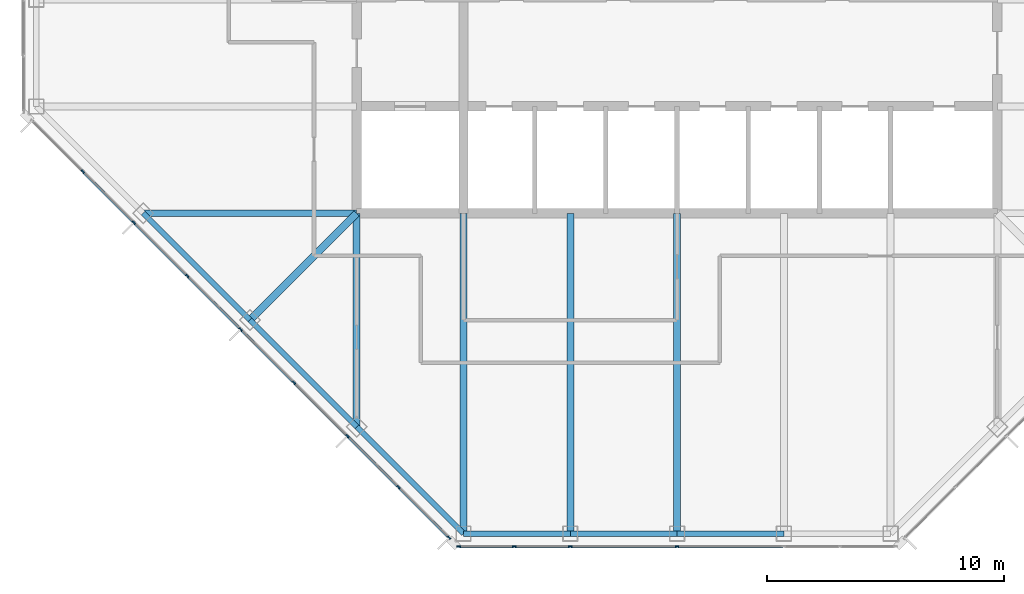
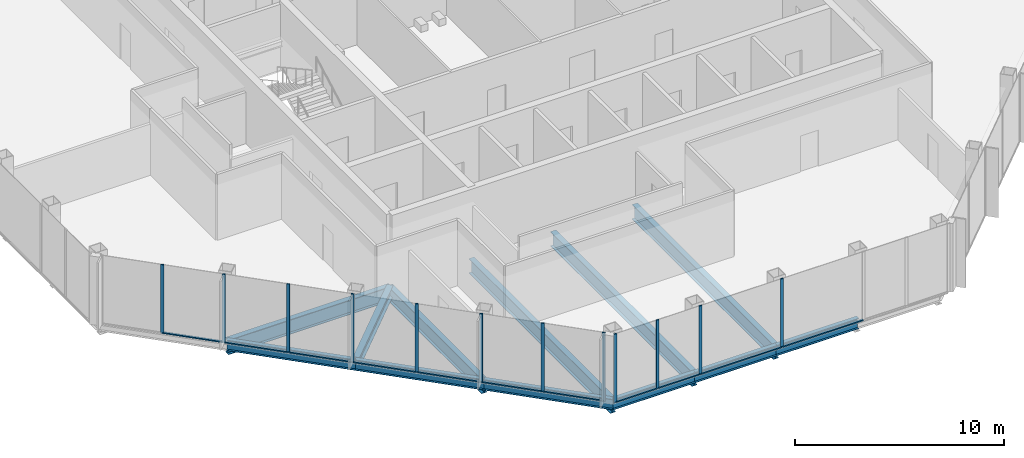
# One storey, part 2 of 13: 23 members, 12 beams, 2 elements without a shape of their own.
"""IFC4 building model written with IfcOpenShell, lengths in metres."""

from ifc_helpers import new_model, si_unit, direction, frame, origin, origin_2d, place, context, subcontext, project, spatial, rectangle, i_section, extrude, material, material_profile, profile_set, type_object, element, aggregate, save


model = new_model("IFC4")

# Units and contexts
model_context = context("Model", 3, precision=1e-05, world=origin(), true_north=direction((0.0, 1.0)))
body_context = subcontext(model_context, "Body", "Model", "MODEL_VIEW")
ifc_project = project(units=[si_unit("LENGTHUNIT", "METRE"), si_unit("AREAUNIT", "SQUARE_METRE"), si_unit("VOLUMEUNIT", "CUBIC_METRE"), si_unit("PLANEANGLEUNIT", "RADIAN"), si_unit("MASSUNIT", "GRAM", prefix="KILO")], contexts=[model_context])

# Site, building, storey
site_placement = place(None, origin())
site = spatial("IfcSite", under=ifc_project, at=site_placement, CompositionType="ELEMENT")
building_placement = place(site_placement, origin())
building = spatial("IfcBuilding", under=site, at=building_placement, Name="Corais Broadcast Tower", CompositionType="ELEMENT")
storey_placement = place(building_placement, frame((0.0, 0.0, 238.60009765625)))
storey = spatial("IfcBuildingStorey", under=building, at=storey_placement, Name="L55", CompositionType="ELEMENT", Elevation=238.60009765625)

# Beams
ifc_material_1 = material(Name="Steel ASTM A572 Grade 50", Category="steel")
ifc_material_profile_1 = material_profile(ifc_material_1, i_section(OverallWidth=0.323974609375, OverallDepth=0.611083984375, WebThickness=0.0126953125, FlangeThickness=0.01904296875, at=origin_2d()), Name="W610x155")
ifc_profile_set_1 = profile_set([ifc_material_profile_1], Name="Steel ASTM A572 Grade 50")
beam_type_1 = type_object("IfcBeamType", Name="Corner diagonal W610x155", PredefinedType="BEAM", material=ifc_profile_set_1)
beam_1_placement = place(storey_placement, frame((9.0, 9.0, -0.465576171875), z_axis=(0.707106781187, 0.707106781187, 0.0), x_axis=(-0.707106781187, 0.707106781187, 0.0)))
element("IfcBeam", 1, at=beam_1_placement, inside=storey, type_object=beam_type_1, Name="B6 C/5 to D/6", PredefinedType="BEAM", context=body_context, shape_type="SweptSolid", body=[
    extrude(i_section(OverallWidth=0.323974609375, OverallDepth=0.611083984375, WebThickness=0.0126953125, FlangeThickness=0.01904296875, at=origin_2d()), origin(), (0.0, 0.0, 1.0), 6.364013671875),
])
ifc_material_2 = material(Name="Steel ASTM A572 Grade 50", Category="steel")
ifc_material_profile_2 = material_profile(ifc_material_2, i_section(OverallWidth=0.2939453125, OverallDepth=0.85107421875, WebThickness=0.01611328125, FlangeThickness=0.02685546875, at=origin_2d()), Name="W840x226")
ifc_profile_set_2 = profile_set([ifc_material_profile_2], Name="Steel ASTM A572 Grade 50")
beam_type_2 = type_object("IfcBeamType", Name="Floor beam W840x226", PredefinedType="BEAM", material=ifc_profile_set_2)
beam_2_placement = place(storey_placement, frame((13.5, 4.5, -0.585693359375), z_axis=(0.0, 1.0, 0.0), x_axis=(-1.0, 0.0, 0.0)))
element("IfcBeam", 2, at=beam_2_placement, inside=storey, type_object=beam_type_2, Name="B1 B/6 to D/6", PredefinedType="BEAM", context=body_context, shape_type="SweptSolid", body=[
    extrude(i_section(OverallWidth=0.2939453125, OverallDepth=0.85107421875, WebThickness=0.01611328125, FlangeThickness=0.02685546875, at=origin_2d()), origin(), (0.0, 0.0, 1.0), 9.0),
])
for number, where, z_axis, x_axis, name in (
    (3, (18.0, 0.0, -0.585693359375), (0.0, 1.0, 0.0), (-1.0, 0.0, 0.0), "B1 A/7 to D/7"),
    (4, (22.5, 0.0, -0.585693359375), (0.0, 1.0, 0.0), (-1.0, 0.0, 0.0), "B1 A/8 to D/8"),
    (5, (27.0, 0.0, -0.585693359375), (0.0, 1.0, 0.0), (-1.0, 0.0, 0.0), "B1 A/9 to D/9"),
):
    element("IfcBeam", number, at=place(storey_placement, frame(where, z_axis=z_axis, x_axis=x_axis)), inside=storey, type_object=beam_type_2, Name=name, PredefinedType="BEAM", context=body_context, shape_type="SweptSolid", body=[
        extrude(i_section(OverallWidth=0.2939453125, OverallDepth=0.85107421875, WebThickness=0.01611328125, FlangeThickness=0.02685546875, at=origin_2d()), origin(), (0.0, 0.0, 1.0), 13.5),
    ])
beam_3_placement = place(storey_placement, frame((4.5, 13.5, -0.585693359375), z_axis=(1.0, 0.0, 0.0), x_axis=(0.0, 1.0, 0.0)))
element("IfcBeam", 6, at=beam_3_placement, inside=storey, type_object=beam_type_2, Name="B1 D/4 to D/6", PredefinedType="BEAM", context=body_context, shape_type="SweptSolid", body=[
    extrude(i_section(OverallWidth=0.2939453125, OverallDepth=0.85107421875, WebThickness=0.01611328125, FlangeThickness=0.02685546875, at=origin_2d()), origin(), (0.0, 0.0, 1.0), 9.0),
])

# Curtain wall, members
ifc_material_3 = material(Name="Aluminium and glass", Category="aluminium")
curtain_wall_type = type_object("IfcCurtainWallType", Name="Unitised fritted curtain wall CW3", PredefinedType="NOTDEFINED", material=ifc_material_3)
curtain_wall_1_placement = place(storey_placement, origin())
curtain_wall_1 = element("IfcCurtainWall", 7, at=curtain_wall_1_placement, inside=storey, type_object=curtain_wall_type, Name="CW3 curtain wall L55 1", PredefinedType="NOTDEFINED")
ifc_material_4 = material(Name="Aluminium 6063-T6", Category="aluminium")
ifc_material_profile_3 = material_profile(ifc_material_4, rectangle(XDim=0.06494140625, YDim=0.159912109375, at=origin_2d()), Name="Mullion CW3 65x160")
ifc_profile_set_3 = profile_set([ifc_material_profile_3], Name="Aluminium 6063-T6")
member_type_1 = type_object("IfcMemberType", Name="Mullion CW3 65x160", PredefinedType="MULLION", material=ifc_profile_set_3)
member_1_placement = place(storey_placement, frame((17.3955078125, -0.17333984375, 0.0), z_axis=(0.0, 0.0, 1.0), x_axis=(-0.707106781187, -0.707106781187, 0.0)))
member_1 = element("IfcMember", 8, at=member_1_placement, type_object=member_type_1, Name="CW3 mullion 1", PredefinedType="MULLION", context=body_context, shape_type="SweptSolid", body=[
    extrude(rectangle(XDim=0.06494140625, YDim=0.159912109375, at=origin_2d()), origin(), (0.0, 0.0, 1.0), 4.0),
])
member_2_placement = place(storey_placement, frame((15.264892578125, 1.957275390625, 0.0), z_axis=(0.0, 0.0, 1.0), x_axis=(-0.707106781187, -0.707106781187, 0.0)))
member_2 = element("IfcMember", 9, at=member_2_placement, type_object=member_type_1, Name="CW3 mullion 2", PredefinedType="MULLION", context=body_context, shape_type="SweptSolid", body=[
    extrude(rectangle(XDim=0.06494140625, YDim=0.159912109375, at=origin_2d()), origin(), (0.0, 0.0, 1.0), 4.0),
])
member_3_placement = place(storey_placement, frame((13.111083984375, 4.111083984375, 0.0), z_axis=(0.0, 0.0, 1.0), x_axis=(-0.707106781187, -0.707106781187, 0.0)))
member_3 = element("IfcMember", 10, at=member_3_placement, type_object=member_type_1, Name="CW3 mullion 3", PredefinedType="MULLION", context=body_context, shape_type="SweptSolid", body=[
    extrude(rectangle(XDim=0.06494140625, YDim=0.159912109375, at=origin_2d()), origin(), (0.0, 0.0, 1.0), 4.0),
])
member_4_placement = place(storey_placement, frame((10.861083984375, 6.361083984375, 0.0), z_axis=(0.0, 0.0, 1.0), x_axis=(-0.707106781187, -0.707106781187, 0.0)))
member_4 = element("IfcMember", 11, at=member_4_placement, type_object=member_type_1, Name="CW3 mullion 4", PredefinedType="MULLION", context=body_context, shape_type="SweptSolid", body=[
    extrude(rectangle(XDim=0.06494140625, YDim=0.159912109375, at=origin_2d()), origin(), (0.0, 0.0, 1.0), 4.0),
])
member_5_placement = place(storey_placement, frame((8.611083984375, 8.611083984375, 0.0), z_axis=(0.0, 0.0, 1.0), x_axis=(-0.707106781187, -0.707106781187, 0.0)))
member_5 = element("IfcMember", 12, at=member_5_placement, type_object=member_type_1, Name="CW3 mullion 5", PredefinedType="MULLION", context=body_context, shape_type="SweptSolid", body=[
    extrude(rectangle(XDim=0.06494140625, YDim=0.159912109375, at=origin_2d()), origin(), (0.0, 0.0, 1.0), 4.0),
])
member_6_placement = place(storey_placement, frame((6.361083984375, 10.861083984375, 0.0), z_axis=(0.0, 0.0, 1.0), x_axis=(-0.707106781187, -0.707106781187, 0.0)))
member_6 = element("IfcMember", 13, at=member_6_placement, type_object=member_type_1, Name="CW3 mullion 6", PredefinedType="MULLION", context=body_context, shape_type="SweptSolid", body=[
    extrude(rectangle(XDim=0.06494140625, YDim=0.159912109375, at=origin_2d()), origin(), (0.0, 0.0, 1.0), 4.0),
])
member_7_placement = place(storey_placement, frame((4.111083984375, 13.111083984375, 0.0), z_axis=(0.0, 0.0, 1.0), x_axis=(-0.707106781187, -0.707106781187, 0.0)))
member_7 = element("IfcMember", 14, at=member_7_placement, type_object=member_type_1, Name="CW3 mullion 7", PredefinedType="MULLION", context=body_context, shape_type="SweptSolid", body=[
    extrude(rectangle(XDim=0.06494140625, YDim=0.159912109375, at=origin_2d()), origin(), (0.0, 0.0, 1.0), 4.0),
])
member_8_placement = place(storey_placement, frame((1.957275390625, 15.264892578125, 0.0), z_axis=(0.0, 0.0, 1.0), x_axis=(-0.707106781187, -0.707106781187, 0.0)))
member_8 = element("IfcMember", 15, at=member_8_placement, type_object=member_type_1, Name="CW3 mullion 8", PredefinedType="MULLION", context=body_context, shape_type="SweptSolid", body=[
    extrude(rectangle(XDim=0.06494140625, YDim=0.159912109375, at=origin_2d()), origin(), (0.0, 0.0, 1.0), 4.0),
])

curtain_wall_2_placement = place(storey_placement, origin())
curtain_wall_2 = element("IfcCurtainWall", 16, at=curtain_wall_2_placement, inside=storey, type_object=curtain_wall_type, Name="CW3 curtain wall L55 8", PredefinedType="NOTDEFINED")
member_9_placement = place(storey_placement, frame((27.0, -0.550048828125, 0.0), z_axis=(0.0, 0.0, 1.0), x_axis=(0.0, -1.0, 0.0)))
member_9 = element("IfcMember", 17, at=member_9_placement, type_object=member_type_1, Name="CW3 mullion 4", PredefinedType="MULLION", context=body_context, shape_type="SweptSolid", body=[
    extrude(rectangle(XDim=0.06494140625, YDim=0.159912109375, at=origin_2d()), origin(), (0.0, 0.0, 1.0), 4.0),
])
member_10_placement = place(storey_placement, frame((22.5, -0.550048828125, 0.0), z_axis=(0.0, 0.0, 1.0), x_axis=(0.0, -1.0, 0.0)))
member_10 = element("IfcMember", 18, at=member_10_placement, type_object=member_type_1, Name="CW3 mullion 5", PredefinedType="MULLION", context=body_context, shape_type="SweptSolid", body=[
    extrude(rectangle(XDim=0.06494140625, YDim=0.159912109375, at=origin_2d()), origin(), (0.0, 0.0, 1.0), 4.0),
])
member_11_placement = place(storey_placement, frame((20.135986328125, -0.550048828125, 0.0), z_axis=(0.0, 0.0, 1.0), x_axis=(0.0, -1.0, 0.0)))
member_11 = element("IfcMember", 19, at=member_11_placement, type_object=member_type_1, Name="CW3 mullion 6", PredefinedType="MULLION", context=body_context, shape_type="SweptSolid", body=[
    extrude(rectangle(XDim=0.06494140625, YDim=0.159912109375, at=origin_2d()), origin(), (0.0, 0.0, 1.0), 4.0),
])
member_12_placement = place(storey_placement, frame((17.8046875, -0.550048828125, 0.0), z_axis=(0.0, 0.0, 1.0), x_axis=(0.0, -1.0, 0.0)))
member_12 = element("IfcMember", 20, at=member_12_placement, type_object=member_type_1, Name="CW3 mullion 7", PredefinedType="MULLION", context=body_context, shape_type="SweptSolid", body=[
    extrude(rectangle(XDim=0.06494140625, YDim=0.159912109375, at=origin_2d()), origin(), (0.0, 0.0, 1.0), 4.0),
])

# Beams
ifc_material_5 = material(Name="Steel ASTM A572 Grade 50", Category="steel")
ifc_material_profile_4 = material_profile(ifc_material_5, i_section(OverallWidth=0.22998046875, OverallDepth=0.616943359375, WebThickness=0.01318359375, FlangeThickness=0.022216796875, at=origin_2d()), Name="W610x140")
ifc_profile_set_4 = profile_set([ifc_material_profile_4], Name="Steel ASTM A572 Grade 50")
beam_type_3 = type_object("IfcBeamType", Name="Spandrel W610x140", PredefinedType="BEAM", material=ifc_profile_set_4)
beam_4_placement = place(storey_placement, frame((13.5, 4.5, -0.468505859375), z_axis=(0.707106781187, -0.707106781187, 0.0), x_axis=(0.707106781187, 0.707106781187, 0.0)))
element("IfcBeam", 21, at=beam_4_placement, inside=storey, type_object=beam_type_3, Name="SB3 B/6 to A/7", PredefinedType="BEAM", context=body_context, shape_type="SweptSolid", body=[
    extrude(i_section(OverallWidth=0.22998046875, OverallDepth=0.616943359375, WebThickness=0.01318359375, FlangeThickness=0.022216796875, at=origin_2d()), origin(), (0.0, 0.0, 1.0), 6.364013671875),
])
for number, where, z_axis, x_axis, name in (
    (22, (18.0, 0.0, -0.468505859375), (1.0, 0.0, 0.0), (0.0, 1.0, 0.0), "SB3 A/7 to A/8"),
    (23, (22.5, 0.0, -0.468505859375), (1.0, 0.0, 0.0), (0.0, 1.0, 0.0), "SB3 A/8 to A/9"),
    (24, (27.0, 0.0, -0.468505859375), (1.0, 0.0, 0.0), (0.0, 1.0, 0.0), "SB3 A/9 to A/10"),
):
    element("IfcBeam", number, at=place(storey_placement, frame(where, z_axis=z_axis, x_axis=x_axis)), inside=storey, type_object=beam_type_3, Name=name, PredefinedType="BEAM", context=body_context, shape_type="SweptSolid", body=[
        extrude(i_section(OverallWidth=0.22998046875, OverallDepth=0.616943359375, WebThickness=0.01318359375, FlangeThickness=0.022216796875, at=origin_2d()), origin(), (0.0, 0.0, 1.0), 4.5),
    ])
for number, where, z_axis, x_axis, name in (
    (25, (4.5, 13.5, -0.468505859375), (0.707106781187, -0.707106781187, 0.0), (0.707106781187, 0.707106781187, 0.0), "SB3 D/4 to C/5"),
    (26, (9.0, 9.0, -0.468505859375), (0.707106781187, -0.707106781187, 0.0), (0.707106781187, 0.707106781187, 0.0), "SB3 C/5 to B/6"),
):
    element("IfcBeam", number, at=place(storey_placement, frame(where, z_axis=z_axis, x_axis=x_axis)), inside=storey, type_object=beam_type_3, Name=name, PredefinedType="BEAM", context=body_context, shape_type="SweptSolid", body=[
        extrude(i_section(OverallWidth=0.22998046875, OverallDepth=0.616943359375, WebThickness=0.01318359375, FlangeThickness=0.022216796875, at=origin_2d()), origin(), (0.0, 0.0, 1.0), 6.364013671875),
    ])

# Member
ifc_material_6 = material(Name="Aluminium 6063-T6", Category="aluminium")
ifc_material_profile_5 = material_profile(ifc_material_6, rectangle(XDim=0.1201171875, YDim=0.06494140625, at=origin_2d()), Name="Transom CW3 65x120")
ifc_profile_set_5 = profile_set([ifc_material_profile_5], Name="Aluminium 6063-T6")
member_type_2 = type_object("IfcMemberType", Name="Transom CW3 65x120", PredefinedType="USERDEFINED", material=ifc_profile_set_5)
member_13_placement = place(storey_placement, frame((17.37255859375, -0.150390625, 0.032470703125), z_axis=(-0.707106781187, 0.707106781187, 0.0), x_axis=(-0.707106781187, -0.707106781187, 0.0)))
member_13 = element("IfcMember", 27, at=member_13_placement, type_object=member_type_2, Name="CW3 transom 1.1", ObjectType="TRANSOM", PredefinedType="USERDEFINED", context=body_context, shape_type="SweptSolid", body=[
    extrude(rectangle(XDim=0.1201171875, YDim=0.06494140625, at=origin_2d()), origin(), (0.0, 0.0, 1.0), 2.9482421875),
])

member_14_placement = place(storey_placement, frame((15.241943359375, 1.980224609375, 0.032470703125), z_axis=(-0.707106781187, 0.707106781187, 0.0), x_axis=(-0.707106781187, -0.707106781187, 0.0)))
member_14 = element("IfcMember", 28, at=member_14_placement, type_object=member_type_2, Name="CW3 transom 2.1", ObjectType="TRANSOM", PredefinedType="USERDEFINED", context=body_context, shape_type="SweptSolid", body=[
    extrude(rectangle(XDim=0.1201171875, YDim=0.06494140625, at=origin_2d()), origin(), (0.0, 0.0, 1.0), 2.98095703125),
])

member_15_placement = place(storey_placement, frame((13.088134765625, 4.134033203125, 0.032470703125), z_axis=(-0.707106781187, 0.707106781187, 0.0), x_axis=(-0.707106781187, -0.707106781187, 0.0)))
member_15 = element("IfcMember", 29, at=member_15_placement, type_object=member_type_2, Name="CW3 transom 3.1", ObjectType="TRANSOM", PredefinedType="USERDEFINED", context=body_context, shape_type="SweptSolid", body=[
    extrude(rectangle(XDim=0.1201171875, YDim=0.06494140625, at=origin_2d()), origin(), (0.0, 0.0, 1.0), 3.1171875),
])

member_16_placement = place(storey_placement, frame((10.838134765625, 6.384033203125, 0.032470703125), z_axis=(-0.707106781187, 0.707106781187, 0.0), x_axis=(-0.707106781187, -0.707106781187, 0.0)))
member_16 = element("IfcMember", 30, at=member_16_placement, type_object=member_type_2, Name="CW3 transom 4.1", ObjectType="TRANSOM", PredefinedType="USERDEFINED", context=body_context, shape_type="SweptSolid", body=[
    extrude(rectangle(XDim=0.1201171875, YDim=0.06494140625, at=origin_2d()), origin(), (0.0, 0.0, 1.0), 3.1171875),
])

member_17_placement = place(storey_placement, frame((8.588134765625, 8.634033203125, 0.032470703125), z_axis=(-0.707106781187, 0.707106781187, 0.0), x_axis=(-0.707106781187, -0.707106781187, 0.0)))
member_17 = element("IfcMember", 31, at=member_17_placement, type_object=member_type_2, Name="CW3 transom 5.1", ObjectType="TRANSOM", PredefinedType="USERDEFINED", context=body_context, shape_type="SweptSolid", body=[
    extrude(rectangle(XDim=0.1201171875, YDim=0.06494140625, at=origin_2d()), origin(), (0.0, 0.0, 1.0), 3.1171875),
])

member_18_placement = place(storey_placement, frame((6.338134765625, 10.884033203125, 0.032470703125), z_axis=(-0.707106781187, 0.707106781187, 0.0), x_axis=(-0.707106781187, -0.707106781187, 0.0)))
member_18 = element("IfcMember", 32, at=member_18_placement, type_object=member_type_2, Name="CW3 transom 6.1", ObjectType="TRANSOM", PredefinedType="USERDEFINED", context=body_context, shape_type="SweptSolid", body=[
    extrude(rectangle(XDim=0.1201171875, YDim=0.06494140625, at=origin_2d()), origin(), (0.0, 0.0, 1.0), 3.1171875),
])

member_19_placement = place(storey_placement, frame((4.088134765625, 13.134033203125, 0.032470703125), z_axis=(-0.707065828661, 0.70714773134, 0.0), x_axis=(-0.70714773134, -0.707065828661, 0.0)))
member_19 = element("IfcMember", 33, at=member_19_placement, type_object=member_type_2, Name="CW3 transom 7.1", ObjectType="TRANSOM", PredefinedType="USERDEFINED", context=body_context, shape_type="SweptSolid", body=[
    extrude(rectangle(XDim=0.1201171875, YDim=0.06494140625, at=origin_2d()), origin(), (0.0, 0.0, 1.0), 2.98095703125),
])

aggregate(curtain_wall_1, [member_1, member_2, member_3, member_4, member_5, member_6, member_7, member_8, member_13, member_14, member_15, member_16, member_17, member_18, member_19])

member_20_placement = place(storey_placement, frame((31.467529296875, -0.550048828125, 0.032470703125), z_axis=(-1.0, 0.0, 0.0), x_axis=(0.0, -1.0, 0.0)))
member_20 = element("IfcMember", 34, at=member_20_placement, type_object=member_type_2, Name="CW3 transom 3.1", ObjectType="TRANSOM", PredefinedType="USERDEFINED", context=body_context, shape_type="SweptSolid", body=[
    extrude(rectangle(XDim=0.1201171875, YDim=0.06494140625, at=origin_2d()), origin(), (0.0, 0.0, 1.0), 4.43505859375),
])

member_21_placement = place(storey_placement, frame((26.967529296875, -0.550048828125, 0.032470703125), z_axis=(-1.0, 0.0, 0.0), x_axis=(0.0, -1.0, 0.0)))
member_21 = element("IfcMember", 35, at=member_21_placement, type_object=member_type_2, Name="CW3 transom 4.1", ObjectType="TRANSOM", PredefinedType="USERDEFINED", context=body_context, shape_type="SweptSolid", body=[
    extrude(rectangle(XDim=0.1201171875, YDim=0.06494140625, at=origin_2d()), origin(), (0.0, 0.0, 1.0), 4.43505859375),
])

member_22_placement = place(storey_placement, frame((22.467529296875, -0.550048828125, 0.032470703125), z_axis=(-1.0, 0.0, 0.0), x_axis=(0.0, -1.0, 0.0)))
member_22 = element("IfcMember", 36, at=member_22_placement, type_object=member_type_2, Name="CW3 transom 5.1", ObjectType="TRANSOM", PredefinedType="USERDEFINED", context=body_context, shape_type="SweptSolid", body=[
    extrude(rectangle(XDim=0.1201171875, YDim=0.06494140625, at=origin_2d()), origin(), (0.0, 0.0, 1.0), 2.298828125),
])

member_23_placement = place(storey_placement, frame((20.103515625, -0.550048828125, 0.032470703125), z_axis=(-1.0, 0.0, 0.0), x_axis=(0.0, -1.0, 0.0)))
member_23 = element("IfcMember", 37, at=member_23_placement, type_object=member_type_2, Name="CW3 transom 6.1", ObjectType="TRANSOM", PredefinedType="USERDEFINED", context=body_context, shape_type="SweptSolid", body=[
    extrude(rectangle(XDim=0.1201171875, YDim=0.06494140625, at=origin_2d()), origin(), (0.0, 0.0, 1.0), 2.266357421875),
])

aggregate(curtain_wall_2, [member_9, member_10, member_11, member_12, member_20, member_21, member_22, member_23])

save(model, "model.ifc")
